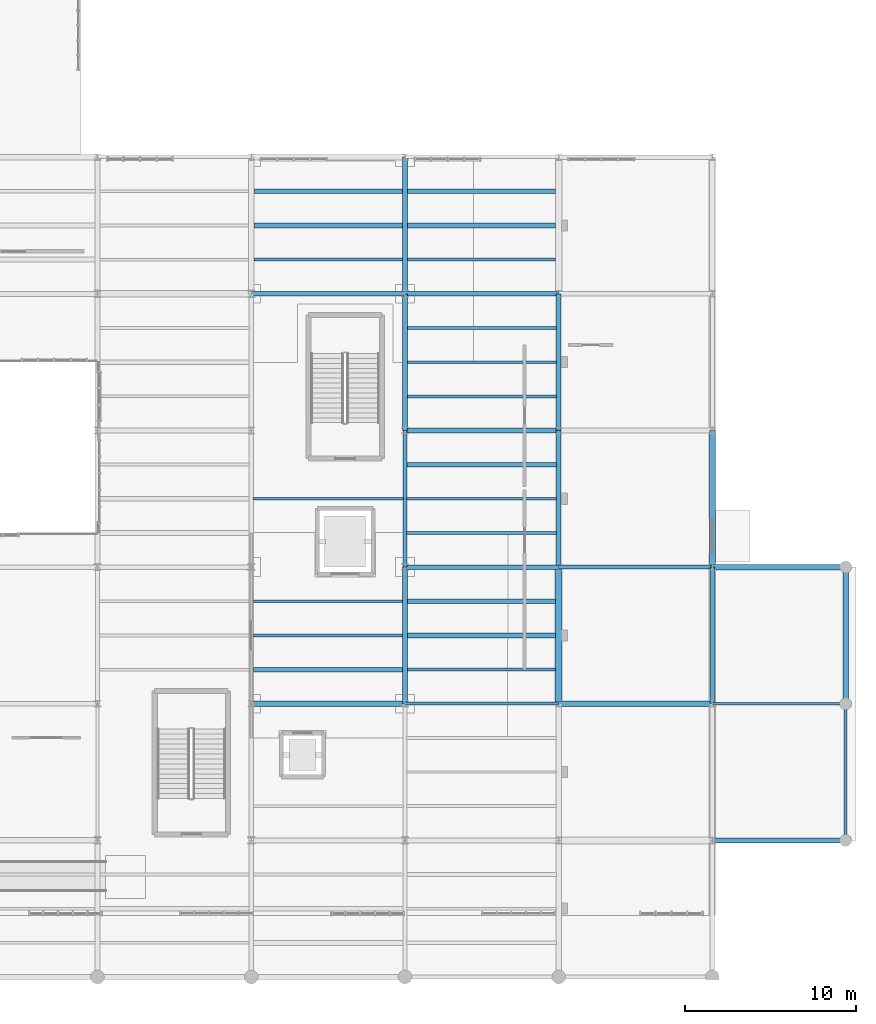
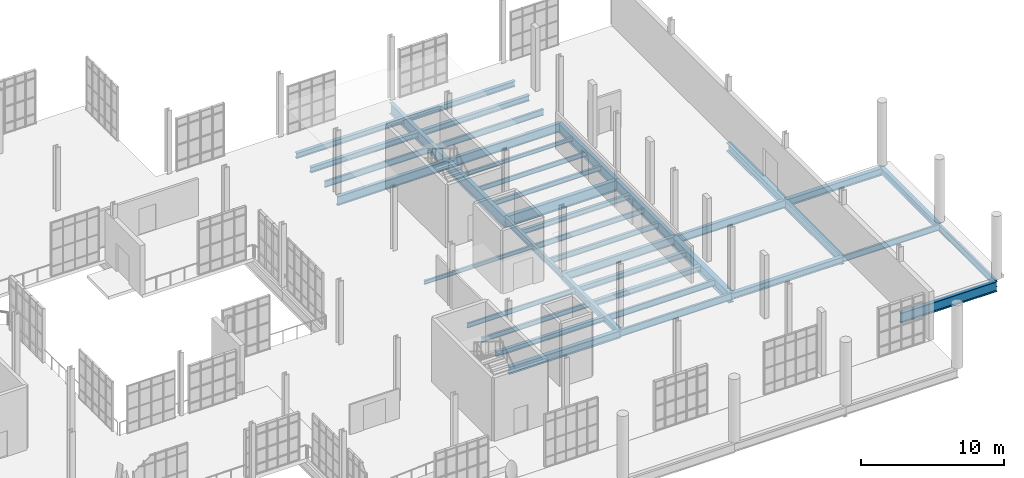
# One storey, part 107 of 189: 41 beams.
"""IFC4 building model written with IfcOpenShell, lengths in metres."""

from ifc_helpers import new_model, si_unit, direction, frame, origin, origin_2d, place, context, subcontext, project, spatial, i_section, extrude, material, material_profile, profile_set, type_object, element, save


model = new_model("IFC4")

# Units and contexts
model_context = context("Model", 3, precision=1e-05, world=origin(), true_north=direction((0.0, 1.0)))
body_context = subcontext(model_context, "Body", "Model", "MODEL_VIEW")
ifc_project = project(units=[si_unit("LENGTHUNIT", "METRE"), si_unit("AREAUNIT", "SQUARE_METRE"), si_unit("VOLUMEUNIT", "CUBIC_METRE"), si_unit("PLANEANGLEUNIT", "RADIAN"), si_unit("MASSUNIT", "GRAM", prefix="KILO"), si_unit("THERMODYNAMICTEMPERATUREUNIT", "KELVIN"), si_unit("POWERUNIT", "WATT")], contexts=[model_context])

# Site, building, storey
site_placement = place(None, origin())
site = spatial("IfcSite", under=ifc_project, at=site_placement, CompositionType="ELEMENT")
building_placement = place(site_placement, origin())
building = spatial("IfcBuilding", under=site, at=building_placement, Name="Zelmaris Science Centre", CompositionType="ELEMENT")
storey_placement = place(building_placement, origin())
storey = spatial("IfcBuildingStorey", under=building, at=storey_placement, Name="L00", CompositionType="ELEMENT", Elevation=0.0)

# Beams
ifc_material = material(Name="Steel ASTM A992 Grade 50", Category="steel")
ifc_material_profile_1 = material_profile(ifc_material, i_section(OverallWidth=0.257080078125, OverallDepth=0.693115234375, WebThickness=0.014404296875, FlangeThickness=0.023681640625, FilletRadius=0.01806640625, at=origin_2d()), Name="W27X114")
ifc_profile_set_1 = profile_set([ifc_material_profile_1], Name="Steel ASTM A992 Grade 50")
beam_type_1 = type_object("IfcBeamType", Name="Beam G-12 W27X114", PredefinedType="BEAM", material=ifc_profile_set_1)
beam_1_placement = place(storey_placement, frame((135.0, 32.0, -0.636474609375), z_axis=(1.0, 0.0, 0.0), x_axis=(0.0, 1.0, 0.0)))
element("IfcBeam", 1, at=beam_1_placement, inside=storey, type_object=beam_type_1, Name="L00 East-west girder 130", PredefinedType="BEAM", context=body_context, shape_type="SweptSolid", body=[
    extrude(i_section(OverallWidth=0.257080078125, OverallDepth=0.693115234375, WebThickness=0.014404296875, FlangeThickness=0.023681640625, FilletRadius=0.01806640625, at=origin_2d()), origin(), (0.0, 0.0, 1.0), 9.0),
])
ifc_material_profile_2 = material_profile(ifc_material, i_section(OverallWidth=0.25390625, OverallDepth=0.68310546875, WebThickness=0.012451171875, FlangeThickness=0.018798828125, FilletRadius=0.01806640625, at=origin_2d()), Name="W27X94")
ifc_profile_set_2 = profile_set([ifc_material_profile_2], Name="Steel ASTM A992 Grade 50")
beam_type_2 = type_object("IfcBeamType", Name="Beam G-13 W27X94", PredefinedType="BEAM", material=ifc_profile_set_2)
beam_2_placement = place(storey_placement, frame((144.0, 32.0, -0.631591796875), z_axis=(1.0, 0.0, 0.0), x_axis=(0.0, 1.0, 0.0)))
element("IfcBeam", 2, at=beam_2_placement, inside=storey, type_object=beam_type_2, Name="L00 East-west girder 131", PredefinedType="BEAM", context=body_context, shape_type="SweptSolid", body=[
    extrude(i_section(OverallWidth=0.25390625, OverallDepth=0.68310546875, WebThickness=0.012451171875, FlangeThickness=0.018798828125, FilletRadius=0.01806640625, at=origin_2d()), origin(), (0.0, 0.0, 1.0), 9.0),
])
ifc_material_profile_3 = material_profile(ifc_material, i_section(OverallWidth=0.324951171875, OverallDepth=0.612060546875, WebThickness=0.0126953125, FlangeThickness=0.01904296875, FilletRadius=0.014892578125, at=origin_2d()), Name="W24X104")
ifc_profile_set_3 = profile_set([ifc_material_profile_3], Name="Steel ASTM A992 Grade 50")
beam_type_3 = type_object("IfcBeamType", Name="Beam G-15 W24X104", PredefinedType="BEAM", material=ifc_profile_set_3)
beam_3_placement = place(storey_placement, frame((153.0, 32.0, -0.595947265625), z_axis=(1.0, 0.0, 0.0), x_axis=(0.0, 1.0, 0.0)))
element("IfcBeam", 3, at=beam_3_placement, inside=storey, type_object=beam_type_3, Name="L00 East-west girder 132", PredefinedType="BEAM", context=body_context, shape_type="SweptSolid", body=[
    extrude(i_section(OverallWidth=0.324951171875, OverallDepth=0.612060546875, WebThickness=0.0126953125, FlangeThickness=0.01904296875, FilletRadius=0.014892578125, at=origin_2d()), origin(), (0.0, 0.0, 1.0), 7.800048828125),
])
ifc_material_profile_4 = material_profile(ifc_material, i_section(OverallWidth=0.31201171875, OverallDepth=0.5439453125, WebThickness=0.0126953125, FlangeThickness=0.020263671875, FilletRadius=0.013916015625, at=origin_2d()), Name="W21X101")
ifc_profile_set_4 = profile_set([ifc_material_profile_4], Name="Steel ASTM A992 Grade 50")
beam_type_4 = type_object("IfcBeamType", Name="Beam G-18 W21X101", PredefinedType="BEAM", material=ifc_profile_set_4)
beam_4_placement = place(storey_placement, frame((135.0, 24.0, -0.56201171875), z_axis=(0.0, 1.0, 0.0), x_axis=(-1.0, 0.0, 0.0)))
element("IfcBeam", 4, at=beam_4_placement, inside=storey, type_object=beam_type_4, Name="L00 North-south girder 73", PredefinedType="BEAM", context=body_context, shape_type="SweptSolid", body=[
    extrude(i_section(OverallWidth=0.31201171875, OverallDepth=0.5439453125, WebThickness=0.0126953125, FlangeThickness=0.020263671875, FilletRadius=0.013916015625, at=origin_2d()), origin(), (0.0, 0.0, 1.0), 8.0),
])
ifc_material_profile_5 = material_profile(ifc_material, i_section(OverallWidth=0.2109375, OverallDepth=0.5380859375, WebThickness=0.01171875, FlangeThickness=0.018798828125, FilletRadius=0.013916015625, at=origin_2d()), Name="W21X73")
ifc_profile_set_5 = profile_set([ifc_material_profile_5], Name="Steel ASTM A992 Grade 50")
beam_type_5 = type_object("IfcBeamType", Name="Beam G-19 W21X73", PredefinedType="BEAM", material=ifc_profile_set_5)
beam_5_placement = place(storey_placement, frame((135.0, 32.0, -0.55908203125), z_axis=(0.0, 1.0, 0.0), x_axis=(-1.0, 0.0, 0.0)))
element("IfcBeam", 5, at=beam_5_placement, inside=storey, type_object=beam_type_5, Name="L00 North-south girder 74", PredefinedType="BEAM", context=body_context, shape_type="SweptSolid", body=[
    extrude(i_section(OverallWidth=0.2109375, OverallDepth=0.5380859375, WebThickness=0.01171875, FlangeThickness=0.018798828125, FilletRadius=0.013916015625, at=origin_2d()), origin(), (0.0, 0.0, 1.0), 8.0),
])
ifc_material_profile_6 = material_profile(ifc_material, i_section(OverallWidth=0.300048828125, OverallDepth=0.990966796875, WebThickness=0.0166015625, FlangeThickness=0.030517578125, FilletRadius=0.02490234375, at=origin_2d()), Name="W40X183")
ifc_profile_set_6 = profile_set([ifc_material_profile_6], Name="Steel ASTM A992 Grade 50")
beam_type_6 = type_object("IfcBeamType", Name="Beam G-24 W40X183", PredefinedType="BEAM", material=ifc_profile_set_6)
beam_6_placement = place(storey_placement, frame((135.0, 40.0, -0.785400390625), z_axis=(0.0, 1.0, 0.0), x_axis=(-1.0, 0.0, 0.0)))
element("IfcBeam", 6, at=beam_6_placement, inside=storey, type_object=beam_type_6, Name="L00 North-south girder 75", PredefinedType="BEAM", context=body_context, shape_type="SweptSolid", body=[
    extrude(i_section(OverallWidth=0.300048828125, OverallDepth=0.990966796875, WebThickness=0.0166015625, FlangeThickness=0.030517578125, FilletRadius=0.02490234375, at=origin_2d()), origin(), (0.0, 0.0, 1.0), 8.0),
])
ifc_material_profile_7 = material_profile(ifc_material, i_section(OverallWidth=0.31005859375, OverallDepth=0.931884765625, WebThickness=0.02099609375, FlangeThickness=0.034423828125, FilletRadius=0.02392578125, at=origin_2d()), Name="W36X210")
ifc_profile_set_7 = profile_set([ifc_material_profile_7], Name="Steel ASTM A992 Grade 50")
beam_type_7 = type_object("IfcBeamType", Name="Beam G-25 W36X210", PredefinedType="BEAM", material=ifc_profile_set_7)
beam_7_placement = place(storey_placement, frame((135.0, 48.0, -0.756103515625), z_axis=(0.0, 1.0, 0.0), x_axis=(-1.0, 0.0, 0.0)))
element("IfcBeam", 7, at=beam_7_placement, inside=storey, type_object=beam_type_7, Name="L00 North-south girder 76", PredefinedType="BEAM", context=body_context, shape_type="SweptSolid", body=[
    extrude(i_section(OverallWidth=0.31005859375, OverallDepth=0.931884765625, WebThickness=0.02099609375, FlangeThickness=0.034423828125, FilletRadius=0.02392578125, at=origin_2d()), origin(), (0.0, 0.0, 1.0), 8.0),
])
ifc_material_profile_8 = material_profile(ifc_material, i_section(OverallWidth=0.304931640625, OverallDepth=0.9189453125, WebThickness=0.017333984375, FlangeThickness=0.02783203125, FilletRadius=0.02392578125, at=origin_2d()), Name="W36X170")
ifc_profile_set_8 = profile_set([ifc_material_profile_8], Name="Steel ASTM A992 Grade 50")
beam_type_8 = type_object("IfcBeamType", Name="Beam G-26 W36X170", PredefinedType="BEAM", material=ifc_profile_set_8)
beam_8_placement = place(storey_placement, frame((135.0, 40.0, -0.74951171875), z_axis=(1.0, 0.0, 0.0), x_axis=(0.0, 1.0, 0.0)))
element("IfcBeam", 8, at=beam_8_placement, inside=storey, type_object=beam_type_8, Name="L00 East-west girder 139", PredefinedType="BEAM", context=body_context, shape_type="SweptSolid", body=[
    extrude(i_section(OverallWidth=0.304931640625, OverallDepth=0.9189453125, WebThickness=0.017333984375, FlangeThickness=0.02783203125, FilletRadius=0.02392578125, at=origin_2d()), origin(), (0.0, 0.0, 1.0), 9.0),
])
ifc_material_profile_9 = material_profile(ifc_material, i_section(OverallWidth=0.404052734375, OverallDepth=0.861083984375, WebThickness=0.019775390625, FlangeThickness=0.032470703125, FilletRadius=0.02001953125, at=origin_2d()), Name="W33X221")
ifc_profile_set_9 = profile_set([ifc_material_profile_9], Name="Steel ASTM A992 Grade 50")
beam_type_9 = type_object("IfcBeamType", Name="Beam G-28 W33X221", PredefinedType="BEAM", material=ifc_profile_set_9)
beam_9_placement = place(storey_placement, frame((144.0, 24.0, -0.720458984375), z_axis=(0.0, 1.0, 0.0), x_axis=(-1.0, 0.0, 0.0)))
element("IfcBeam", 9, at=beam_9_placement, inside=storey, type_object=beam_type_9, Name="L00 North-south girder 79", PredefinedType="BEAM", context=body_context, shape_type="SweptSolid", body=[
    extrude(i_section(OverallWidth=0.404052734375, OverallDepth=0.861083984375, WebThickness=0.019775390625, FlangeThickness=0.032470703125, FilletRadius=0.02001953125, at=origin_2d()), origin(), (0.0, 0.0, 1.0), 8.0),
])
ifc_material_profile_10 = material_profile(ifc_material, i_section(OverallWidth=0.2919921875, OverallDepth=0.85888671875, WebThickness=0.01708984375, FlangeThickness=0.031005859375, FilletRadius=0.02001953125, at=origin_2d()), Name="W33X169")
ifc_profile_set_10 = profile_set([ifc_material_profile_10], Name="Steel ASTM A992 Grade 50")
beam_type_10 = type_object("IfcBeamType", Name="Beam G-29 W33X169", PredefinedType="BEAM", material=ifc_profile_set_10)
beam_10_placement = place(storey_placement, frame((144.0, 32.0, -0.719482421875), z_axis=(0.0, 1.0, 0.0), x_axis=(-1.0, 0.0, 0.0)))
element("IfcBeam", 10, at=beam_10_placement, inside=storey, type_object=beam_type_10, Name="L00 North-south girder 80", PredefinedType="BEAM", context=body_context, shape_type="SweptSolid", body=[
    extrude(i_section(OverallWidth=0.2919921875, OverallDepth=0.85888671875, WebThickness=0.01708984375, FlangeThickness=0.031005859375, FilletRadius=0.02001953125, at=origin_2d()), origin(), (0.0, 0.0, 1.0), 8.0),
])
beam_11_placement = place(storey_placement, frame((153.0, 16.0, -0.719482421875), z_axis=(1.0, 0.0, 0.0), x_axis=(0.0, 1.0, 0.0)))
element("IfcBeam", 11, at=beam_11_placement, inside=storey, type_object=beam_type_10, Name="L00 East-west girder 111", PredefinedType="BEAM", context=body_context, shape_type="SweptSolid", body=[
    extrude(i_section(OverallWidth=0.2919921875, OverallDepth=0.85888671875, WebThickness=0.01708984375, FlangeThickness=0.031005859375, FilletRadius=0.02001953125, at=origin_2d()), origin(), (0.0, 0.0, 1.0), 7.800048828125),
])
ifc_material_profile_11 = material_profile(ifc_material, i_section(OverallWidth=0.2919921875, OverallDepth=0.8359375, WebThickness=0.013916015625, FlangeThickness=0.018798828125, FilletRadius=0.02001953125, at=origin_2d()), Name="W33X118")
ifc_profile_set_11 = profile_set([ifc_material_profile_11], Name="Steel ASTM A992 Grade 50")
beam_type_11 = type_object("IfcBeamType", Name="Beam G-30 W33X118", PredefinedType="BEAM", material=ifc_profile_set_11)
beam_12_placement = place(storey_placement, frame((144.0, 40.0, -0.7080078125), z_axis=(0.0, 1.0, 0.0), x_axis=(-1.0, 0.0, 0.0)))
element("IfcBeam", 12, at=beam_12_placement, inside=storey, type_object=beam_type_11, Name="L00 North-south girder 81", PredefinedType="BEAM", context=body_context, shape_type="SweptSolid", body=[
    extrude(i_section(OverallWidth=0.2919921875, OverallDepth=0.8359375, WebThickness=0.013916015625, FlangeThickness=0.018798828125, FilletRadius=0.02001953125, at=origin_2d()), origin(), (0.0, 0.0, 1.0), 8.0),
])
ifc_material_profile_12 = material_profile(ifc_material, i_section(OverallWidth=0.26708984375, OverallDepth=0.780029296875, WebThickness=0.0166015625, FlangeThickness=0.030029296875, FilletRadius=0.01904296875, at=origin_2d()), Name="W30X148")
ifc_profile_set_12 = profile_set([ifc_material_profile_12], Name="Steel ASTM A992 Grade 50")
beam_type_12 = type_object("IfcBeamType", Name="Beam G-32 W30X148", PredefinedType="BEAM", material=ifc_profile_set_12)
beam_13_placement = place(storey_placement, frame((126.0, 48.0, -0.679931640625), z_axis=(1.0, 0.0, 0.0), x_axis=(0.0, 1.0, 0.0)))
element("IfcBeam", 13, at=beam_13_placement, inside=storey, type_object=beam_type_12, Name="L00 East-west girder 145", PredefinedType="BEAM", context=body_context, shape_type="SweptSolid", body=[
    extrude(i_section(OverallWidth=0.26708984375, OverallDepth=0.780029296875, WebThickness=0.0166015625, FlangeThickness=0.030029296875, FilletRadius=0.01904296875, at=origin_2d()), origin(), (0.0, 0.0, 1.0), 9.0),
])
ifc_material_profile_13 = material_profile(ifc_material, i_section(OverallWidth=0.26708984375, OverallDepth=0.761962890625, WebThickness=0.014404296875, FlangeThickness=0.021484375, FilletRadius=0.01904296875, at=origin_2d()), Name="W30X116")
ifc_profile_set_13 = profile_set([ifc_material_profile_13], Name="Steel ASTM A992 Grade 50")
beam_type_13 = type_object("IfcBeamType", Name="Beam G-33 W30X116", PredefinedType="BEAM", material=ifc_profile_set_13)
beam_14_placement = place(storey_placement, frame((135.0, 48.0, -0.6708984375), z_axis=(1.0, 0.0, 0.0), x_axis=(0.0, 1.0, 0.0)))
element("IfcBeam", 14, at=beam_14_placement, inside=storey, type_object=beam_type_13, Name="L00 East-west girder 146", PredefinedType="BEAM", context=body_context, shape_type="SweptSolid", body=[
    extrude(i_section(OverallWidth=0.26708984375, OverallDepth=0.761962890625, WebThickness=0.014404296875, FlangeThickness=0.021484375, FilletRadius=0.01904296875, at=origin_2d()), origin(), (0.0, 0.0, 1.0), 9.0),
])
ifc_material_profile_14 = material_profile(ifc_material, i_section(OverallWidth=0.26708984375, OverallDepth=0.75390625, WebThickness=0.01318359375, FlangeThickness=0.01708984375, FilletRadius=0.01904296875, at=origin_2d()), Name="W30X99")
ifc_profile_set_14 = profile_set([ifc_material_profile_14], Name="Steel ASTM A992 Grade 50")
beam_type_14 = type_object("IfcBeamType", Name="Beam G-34 W30X99", PredefinedType="BEAM", material=ifc_profile_set_14)
beam_15_placement = place(storey_placement, frame((153.0, 24.0, -0.6669921875), z_axis=(0.0, 1.0, 0.0), x_axis=(-1.0, 0.0, 0.0)))
element("IfcBeam", 15, at=beam_15_placement, inside=storey, type_object=beam_type_14, Name="L00 North-south girder 85", PredefinedType="BEAM", context=body_context, shape_type="SweptSolid", body=[
    extrude(i_section(OverallWidth=0.26708984375, OverallDepth=0.75390625, WebThickness=0.01318359375, FlangeThickness=0.01708984375, FilletRadius=0.01904296875, at=origin_2d()), origin(), (0.0, 0.0, 1.0), 8.0),
])
ifc_material_profile_15 = material_profile(ifc_material, i_section(OverallWidth=0.35595703125, OverallDepth=0.700927734375, WebThickness=0.016845703125, FlangeThickness=0.02734375, FilletRadius=0.01806640625, at=origin_2d()), Name="W27X161")
ifc_profile_set_15 = profile_set([ifc_material_profile_15], Name="Steel ASTM A992 Grade 50")
beam_type_15 = type_object("IfcBeamType", Name="Beam G-35 W27X161", PredefinedType="BEAM", material=ifc_profile_set_15)
beam_16_placement = place(storey_placement, frame((153.0, 32.0, -0.640380859375), z_axis=(0.0, 1.0, 0.0), x_axis=(-1.0, 0.0, 0.0)))
element("IfcBeam", 16, at=beam_16_placement, inside=storey, type_object=beam_type_15, Name="L00 North-south girder 86", PredefinedType="BEAM", context=body_context, shape_type="SweptSolid", body=[
    extrude(i_section(OverallWidth=0.35595703125, OverallDepth=0.700927734375, WebThickness=0.016845703125, FlangeThickness=0.02734375, FilletRadius=0.01806640625, at=origin_2d()), origin(), (0.0, 0.0, 1.0), 8.0),
])
ifc_material_profile_16 = material_profile(ifc_material, i_section(OverallWidth=0.327880859375, OverallDepth=0.626953125, WebThickness=0.0166015625, FlangeThickness=0.027587890625, FilletRadius=0.014892578125, at=origin_2d()), Name="W24X146")
ifc_profile_set_16 = profile_set([ifc_material_profile_16], Name="Steel ASTM A992 Grade 50")
beam_type_16 = type_object("IfcBeamType", Name="Beam G-37 W24X146", PredefinedType="BEAM", material=ifc_profile_set_16)
beam_17_placement = place(storey_placement, frame((126.0, 24.0, -0.603515625), z_axis=(1.0, 0.0, 0.0), x_axis=(0.0, 1.0, 0.0)))
element("IfcBeam", 17, at=beam_17_placement, inside=storey, type_object=beam_type_16, Name="L00 East-west girder 119", PredefinedType="BEAM", context=body_context, shape_type="SweptSolid", body=[
    extrude(i_section(OverallWidth=0.327880859375, OverallDepth=0.626953125, WebThickness=0.0166015625, FlangeThickness=0.027587890625, FilletRadius=0.014892578125, at=origin_2d()), origin(), (0.0, 0.0, 1.0), 9.0),
])
ifc_material_profile_17 = material_profile(ifc_material, i_section(OverallWidth=0.177978515625, OverallDepth=0.59912109375, WebThickness=0.010009765625, FlangeThickness=0.0126953125, FilletRadius=0.014892578125, at=origin_2d()), Name="W24X55")
ifc_profile_set_17 = profile_set([ifc_material_profile_17], Name="Steel ASTM A992 Grade 50")
beam_type_17 = type_object("IfcBeamType", Name="Beam G-38 W24X55", PredefinedType="BEAM", material=ifc_profile_set_17)
beam_18_placement = place(storey_placement, frame((160.800048828125, 16.0, -0.57958984375), z_axis=(0.0, 1.0, 0.0), x_axis=(-1.0, 0.0, 0.0)))
element("IfcBeam", 18, at=beam_18_placement, inside=storey, type_object=beam_type_17, Name="L00 North-south girder 89", PredefinedType="BEAM", context=body_context, shape_type="SweptSolid", body=[
    extrude(i_section(OverallWidth=0.177978515625, OverallDepth=0.59912109375, WebThickness=0.010009765625, FlangeThickness=0.0126953125, FilletRadius=0.014892578125, at=origin_2d()), origin(), (0.0, 0.0, 1.0), 8.0),
])
beam_19_placement = place(storey_placement, frame((135.0, 24.0, -0.589599609375), z_axis=(1.0, 0.0, 0.0), x_axis=(0.0, 1.0, 0.0)))
element("IfcBeam", 19, at=beam_19_placement, inside=storey, type_object=beam_type_17, Name="L00 East-west girder 120", PredefinedType="BEAM", context=body_context, shape_type="SweptSolid", body=[
    extrude(i_section(OverallWidth=0.177978515625, OverallDepth=0.59912109375, WebThickness=0.010009765625, FlangeThickness=0.0126953125, FilletRadius=0.014892578125, at=origin_2d()), origin(), (0.0, 0.0, 1.0), 9.0),
])
ifc_material_profile_18 = material_profile(ifc_material, i_section(OverallWidth=0.31201171875, OverallDepth=0.5458984375, WebThickness=0.013916015625, FlangeThickness=0.022216796875, FilletRadius=0.013916015625, at=origin_2d()), Name="W21X111")
ifc_profile_set_18 = profile_set([ifc_material_profile_18], Name="Steel ASTM A992 Grade 50")
beam_type_18 = type_object("IfcBeamType", Name="Beam G-39 W21X111", PredefinedType="BEAM", material=ifc_profile_set_18)
beam_20_placement = place(storey_placement, frame((160.800048828125, 24.0, -0.552978515625), z_axis=(0.0, 1.0, 0.0), x_axis=(-1.0, 0.0, 0.0)))
element("IfcBeam", 20, at=beam_20_placement, inside=storey, type_object=beam_type_18, Name="L00 North-south girder 90", PredefinedType="BEAM", context=body_context, shape_type="SweptSolid", body=[
    extrude(i_section(OverallWidth=0.31201171875, OverallDepth=0.5458984375, WebThickness=0.013916015625, FlangeThickness=0.022216796875, FilletRadius=0.013916015625, at=origin_2d()), origin(), (0.0, 0.0, 1.0), 8.0),
])
beam_21_placement = place(storey_placement, frame((144.0, 24.0, -0.56298828125), z_axis=(1.0, 0.0, 0.0), x_axis=(0.0, 1.0, 0.0)))
element("IfcBeam", 21, at=beam_21_placement, inside=storey, type_object=beam_type_18, Name="L00 East-west girder 121", PredefinedType="BEAM", context=body_context, shape_type="SweptSolid", body=[
    extrude(i_section(OverallWidth=0.31201171875, OverallDepth=0.5458984375, WebThickness=0.013916015625, FlangeThickness=0.022216796875, FilletRadius=0.013916015625, at=origin_2d()), origin(), (0.0, 0.0, 1.0), 9.0),
])
ifc_material_profile_19 = material_profile(ifc_material, i_section(OverallWidth=0.1650390625, OverallDepth=0.52587890625, WebThickness=0.0087890625, FlangeThickness=0.011474609375, FilletRadius=0.013916015625, at=origin_2d()), Name="W21X44")
ifc_profile_set_19 = profile_set([ifc_material_profile_19], Name="Steel ASTM A992 Grade 50")
beam_type_19 = type_object("IfcBeamType", Name="Beam G-40 W21X44", PredefinedType="BEAM", material=ifc_profile_set_19)
beam_22_placement = place(storey_placement, frame((153.0, 24.0, -0.552978515625), z_axis=(1.0, 0.0, 0.0), x_axis=(0.0, 1.0, 0.0)))
element("IfcBeam", 22, at=beam_22_placement, inside=storey, type_object=beam_type_19, Name="L00 East-west girder 122", PredefinedType="BEAM", context=body_context, shape_type="SweptSolid", body=[
    extrude(i_section(OverallWidth=0.1650390625, OverallDepth=0.52587890625, WebThickness=0.0087890625, FlangeThickness=0.011474609375, FilletRadius=0.013916015625, at=origin_2d()), origin(), (0.0, 0.0, 1.0), 7.800048828125),
])
ifc_material_profile_20 = material_profile(ifc_material, i_section(OverallWidth=0.16796875, OverallDepth=0.532958984375, WebThickness=0.01025390625, FlangeThickness=0.0166015625, FilletRadius=0.013916015625, at=origin_2d()), Name="W21X57")
ifc_profile_set_20 = profile_set([ifc_material_profile_20], Name="Steel ASTM A992 Grade 50")
beam_type_20 = type_object("IfcBeamType", Name="Beam J-01 W21X57", PredefinedType="JOIST", material=ifc_profile_set_20)
beam_23_placement = place(storey_placement, frame((126.1474609375, 50.0, -0.556396484375), z_axis=(1.0, 0.0, 0.0), x_axis=(0.0, 1.0, 0.0)))
element("IfcBeam", 23, at=beam_23_placement, inside=storey, type_object=beam_type_20, Name="L00 Composite floor joist 99", PredefinedType="JOIST", context=body_context, shape_type="SweptSolid", body=[
    extrude(i_section(OverallWidth=0.16796875, OverallDepth=0.532958984375, WebThickness=0.01025390625, FlangeThickness=0.0166015625, FilletRadius=0.013916015625, at=origin_2d()), origin(), (0.0, 0.0, 1.0), 8.712646484375),
])
beam_24_placement = place(storey_placement, frame((135.14111328125, 26.0, -0.556396484375), z_axis=(1.0, 0.0, 0.0), x_axis=(0.0, 1.0, 0.0)))
element("IfcBeam", 24, at=beam_24_placement, inside=storey, type_object=beam_type_20, Name="L00 Composite floor joist 108", PredefinedType="JOIST", context=body_context, shape_type="SweptSolid", body=[
    extrude(i_section(OverallWidth=0.16796875, OverallDepth=0.532958984375, WebThickness=0.01025390625, FlangeThickness=0.0166015625, FilletRadius=0.013916015625, at=origin_2d()), origin(), (0.0, 0.0, 1.0), 8.671875),
])
beam_25_placement = place(storey_placement, frame((135.139892578125, 50.0, -0.556396484375), z_axis=(1.0, 0.0, 0.0), x_axis=(0.0, 1.0, 0.0)))
element("IfcBeam", 25, at=beam_25_placement, inside=storey, type_object=beam_type_20, Name="L00 Composite floor joist 117", PredefinedType="JOIST", context=body_context, shape_type="SweptSolid", body=[
    extrude(i_section(OverallWidth=0.16796875, OverallDepth=0.532958984375, WebThickness=0.01025390625, FlangeThickness=0.0166015625, FilletRadius=0.013916015625, at=origin_2d()), origin(), (0.0, 0.0, 1.0), 8.6845703125),
])
ifc_material_profile_21 = material_profile(ifc_material, i_section(OverallWidth=0.281982421875, OverallDepth=0.471923828125, WebThickness=0.013671875, FlangeThickness=0.022216796875, FilletRadius=0.012939453125, at=origin_2d()), Name="W18X97")
ifc_profile_set_21 = profile_set([ifc_material_profile_21], Name="Steel ASTM A992 Grade 50")
beam_type_21 = type_object("IfcBeamType", Name="Beam J-02 W18X97", PredefinedType="JOIST", material=ifc_profile_set_21)
beam_26_placement = place(storey_placement, frame((126.1474609375, 52.0, -0.52587890625), z_axis=(1.0, 0.0, 0.0), x_axis=(0.0, 1.0, 0.0)))
element("IfcBeam", 26, at=beam_26_placement, inside=storey, type_object=beam_type_21, Name="L00 Composite floor joist 100", PredefinedType="JOIST", context=body_context, shape_type="SweptSolid", body=[
    extrude(i_section(OverallWidth=0.281982421875, OverallDepth=0.471923828125, WebThickness=0.013671875, FlangeThickness=0.022216796875, FilletRadius=0.012939453125, at=origin_2d()), origin(), (0.0, 0.0, 1.0), 8.712646484375),
])
beam_27_placement = place(storey_placement, frame((135.14111328125, 28.0, -0.52587890625), z_axis=(1.0, 0.0, 0.0), x_axis=(0.0, 1.0, 0.0)))
element("IfcBeam", 27, at=beam_27_placement, inside=storey, type_object=beam_type_21, Name="L00 Composite floor joist 109", PredefinedType="JOIST", context=body_context, shape_type="SweptSolid", body=[
    extrude(i_section(OverallWidth=0.281982421875, OverallDepth=0.471923828125, WebThickness=0.013671875, FlangeThickness=0.022216796875, FilletRadius=0.012939453125, at=origin_2d()), origin(), (0.0, 0.0, 1.0), 8.671875),
])
beam_28_placement = place(storey_placement, frame((135.139892578125, 52.0, -0.52587890625), z_axis=(1.0, 0.0, 0.0), x_axis=(0.0, 1.0, 0.0)))
element("IfcBeam", 28, at=beam_28_placement, inside=storey, type_object=beam_type_21, Name="L00 Composite floor joist 118", PredefinedType="JOIST", context=body_context, shape_type="SweptSolid", body=[
    extrude(i_section(OverallWidth=0.281982421875, OverallDepth=0.471923828125, WebThickness=0.013671875, FlangeThickness=0.022216796875, FilletRadius=0.012939453125, at=origin_2d()), origin(), (0.0, 0.0, 1.0), 8.6845703125),
])
ifc_material_profile_22 = material_profile(ifc_material, i_section(OverallWidth=0.279052734375, OverallDepth=0.4619140625, WebThickness=0.0107421875, FlangeThickness=0.017333984375, FilletRadius=0.012939453125, at=origin_2d()), Name="W18X76")
ifc_profile_set_22 = profile_set([ifc_material_profile_22], Name="Steel ASTM A992 Grade 50")
beam_type_22 = type_object("IfcBeamType", Name="Beam J-03 W18X76", PredefinedType="JOIST", material=ifc_profile_set_22)
beam_29_placement = place(storey_placement, frame((126.1474609375, 54.0, -0.52099609375), z_axis=(1.0, 0.0, 0.0), x_axis=(0.0, 1.0, 0.0)))
element("IfcBeam", 29, at=beam_29_placement, inside=storey, type_object=beam_type_22, Name="L00 Composite floor joist 101", PredefinedType="JOIST", context=body_context, shape_type="SweptSolid", body=[
    extrude(i_section(OverallWidth=0.279052734375, OverallDepth=0.4619140625, WebThickness=0.0107421875, FlangeThickness=0.017333984375, FilletRadius=0.012939453125, at=origin_2d()), origin(), (0.0, 0.0, 1.0), 8.712646484375),
])
beam_30_placement = place(storey_placement, frame((135.14111328125, 30.0, -0.52099609375), z_axis=(1.0, 0.0, 0.0), x_axis=(0.0, 1.0, 0.0)))
element("IfcBeam", 30, at=beam_30_placement, inside=storey, type_object=beam_type_22, Name="L00 Composite floor joist 110", PredefinedType="JOIST", context=body_context, shape_type="SweptSolid", body=[
    extrude(i_section(OverallWidth=0.279052734375, OverallDepth=0.4619140625, WebThickness=0.0107421875, FlangeThickness=0.017333984375, FilletRadius=0.012939453125, at=origin_2d()), origin(), (0.0, 0.0, 1.0), 8.671875),
])
beam_31_placement = place(storey_placement, frame((135.139892578125, 54.0, -0.52099609375), z_axis=(1.0, 0.0, 0.0), x_axis=(0.0, 1.0, 0.0)))
element("IfcBeam", 31, at=beam_31_placement, inside=storey, type_object=beam_type_22, Name="L00 Composite floor joist 119", PredefinedType="JOIST", context=body_context, shape_type="SweptSolid", body=[
    extrude(i_section(OverallWidth=0.279052734375, OverallDepth=0.4619140625, WebThickness=0.0107421875, FlangeThickness=0.017333984375, FilletRadius=0.012939453125, at=origin_2d()), origin(), (0.0, 0.0, 1.0), 8.6845703125),
])
ifc_material_profile_23 = material_profile(ifc_material, i_section(OverallWidth=0.19091796875, OverallDepth=0.4599609375, WebThickness=0.010009765625, FlangeThickness=0.01611328125, FilletRadius=0.012939453125, at=origin_2d()), Name="W18X55")
ifc_profile_set_23 = profile_set([ifc_material_profile_23], Name="Steel ASTM A992 Grade 50")
beam_type_23 = type_object("IfcBeamType", Name="Beam J-04 W18X55", PredefinedType="JOIST", material=ifc_profile_set_23)
beam_32_placement = place(storey_placement, frame((135.090576171875, 34.0, -0.52001953125), z_axis=(1.0, 0.0, 0.0), x_axis=(0.0, 1.0, 0.0)))
element("IfcBeam", 32, at=beam_32_placement, inside=storey, type_object=beam_type_23, Name="L00 Composite floor joist 111", PredefinedType="JOIST", context=body_context, shape_type="SweptSolid", body=[
    extrude(i_section(OverallWidth=0.19091796875, OverallDepth=0.4599609375, WebThickness=0.010009765625, FlangeThickness=0.01611328125, FilletRadius=0.012939453125, at=origin_2d()), origin(), (0.0, 0.0, 1.0), 8.7783203125),
])
ifc_material_profile_24 = material_profile(ifc_material, i_section(OverallWidth=0.152099609375, OverallDepth=0.455078125, WebThickness=0.008056640625, FlangeThickness=0.01318359375, FilletRadius=0.012939453125, at=origin_2d()), Name="W18X40")
ifc_profile_set_24 = profile_set([ifc_material_profile_24], Name="Steel ASTM A992 Grade 50")
beam_type_24 = type_object("IfcBeamType", Name="Beam J-05 W18X40", PredefinedType="JOIST", material=ifc_profile_set_24)
beam_33_placement = place(storey_placement, frame((135.090576171875, 36.0, -0.517578125), z_axis=(1.0, 0.0, 0.0), x_axis=(0.0, 1.0, 0.0)))
element("IfcBeam", 33, at=beam_33_placement, inside=storey, type_object=beam_type_24, Name="L00 Composite floor joist 112", PredefinedType="JOIST", context=body_context, shape_type="SweptSolid", body=[
    extrude(i_section(OverallWidth=0.152099609375, OverallDepth=0.455078125, WebThickness=0.008056640625, FlangeThickness=0.01318359375, FilletRadius=0.012939453125, at=origin_2d()), origin(), (0.0, 0.0, 1.0), 8.7783203125),
])
ifc_material_profile_25 = material_profile(ifc_material, i_section(OverallWidth=0.260009765625, OverallDepth=0.4140625, WebThickness=0.010009765625, FlangeThickness=0.016845703125, FilletRadius=0.011962890625, at=origin_2d()), Name="W16X67")
ifc_profile_set_25 = profile_set([ifc_material_profile_25], Name="Steel ASTM A992 Grade 50")
beam_type_25 = type_object("IfcBeamType", Name="Beam J-06 W16X67", PredefinedType="JOIST", material=ifc_profile_set_25)
beam_34_placement = place(storey_placement, frame((126.118408203125, 26.0, -0.4970703125), z_axis=(1.0, 0.0, 0.0), x_axis=(0.0, 1.0, 0.0)))
element("IfcBeam", 34, at=beam_34_placement, inside=storey, type_object=beam_type_25, Name="L00 Composite floor joist 95", PredefinedType="JOIST", context=body_context, shape_type="SweptSolid", body=[
    extrude(i_section(OverallWidth=0.260009765625, OverallDepth=0.4140625, WebThickness=0.010009765625, FlangeThickness=0.016845703125, FilletRadius=0.011962890625, at=origin_2d()), origin(), (0.0, 0.0, 1.0), 8.740478515625),
])
beam_35_placement = place(storey_placement, frame((135.090576171875, 38.0, -0.4970703125), z_axis=(1.0, 0.0, 0.0), x_axis=(0.0, 1.0, 0.0)))
element("IfcBeam", 35, at=beam_35_placement, inside=storey, type_object=beam_type_25, Name="L00 Composite floor joist 113", PredefinedType="JOIST", context=body_context, shape_type="SweptSolid", body=[
    extrude(i_section(OverallWidth=0.260009765625, OverallDepth=0.4140625, WebThickness=0.010009765625, FlangeThickness=0.016845703125, FilletRadius=0.011962890625, at=origin_2d()), origin(), (0.0, 0.0, 1.0), 8.7783203125),
])
ifc_material_profile_26 = material_profile(ifc_material, i_section(OverallWidth=0.177978515625, OverallDepth=0.408935546875, WebThickness=0.0087890625, FlangeThickness=0.014404296875, FilletRadius=0.011962890625, at=origin_2d()), Name="W16X45")
ifc_profile_set_26 = profile_set([ifc_material_profile_26], Name="Steel ASTM A992 Grade 50")
beam_type_26 = type_object("IfcBeamType", Name="Beam J-07 W16X45", PredefinedType="JOIST", material=ifc_profile_set_26)
beam_36_placement = place(storey_placement, frame((126.118408203125, 28.0, -0.494384765625), z_axis=(1.0, 0.0, 0.0), x_axis=(0.0, 1.0, 0.0)))
element("IfcBeam", 36, at=beam_36_placement, inside=storey, type_object=beam_type_26, Name="L00 Composite floor joist 96", PredefinedType="JOIST", context=body_context, shape_type="SweptSolid", body=[
    extrude(i_section(OverallWidth=0.177978515625, OverallDepth=0.408935546875, WebThickness=0.0087890625, FlangeThickness=0.014404296875, FilletRadius=0.011962890625, at=origin_2d()), origin(), (0.0, 0.0, 1.0), 8.740478515625),
])
beam_37_placement = place(storey_placement, frame((135.135009765625, 42.0, -0.494384765625), z_axis=(1.0, 0.0, 0.0), x_axis=(0.0, 1.0, 0.0)))
element("IfcBeam", 37, at=beam_37_placement, inside=storey, type_object=beam_type_26, Name="L00 Composite floor joist 114", PredefinedType="JOIST", context=body_context, shape_type="SweptSolid", body=[
    extrude(i_section(OverallWidth=0.177978515625, OverallDepth=0.408935546875, WebThickness=0.0087890625, FlangeThickness=0.014404296875, FilletRadius=0.011962890625, at=origin_2d()), origin(), (0.0, 0.0, 1.0), 8.73388671875),
])
ifc_material_profile_27 = material_profile(ifc_material, i_section(OverallWidth=0.139892578125, OverallDepth=0.404052734375, WebThickness=0.007080078125, FlangeThickness=0.01123046875, FilletRadius=0.011962890625, at=origin_2d()), Name="W16X31")
ifc_profile_set_27 = profile_set([ifc_material_profile_27], Name="Steel ASTM A992 Grade 50")
beam_type_27 = type_object("IfcBeamType", Name="Beam J-08 W16X31", PredefinedType="JOIST", material=ifc_profile_set_27)
beam_38_placement = place(storey_placement, frame((126.118408203125, 30.0, -0.491943359375), z_axis=(1.0, 0.0, 0.0), x_axis=(0.0, 1.0, 0.0)))
element("IfcBeam", 38, at=beam_38_placement, inside=storey, type_object=beam_type_27, Name="L00 Composite floor joist 97", PredefinedType="JOIST", context=body_context, shape_type="SweptSolid", body=[
    extrude(i_section(OverallWidth=0.139892578125, OverallDepth=0.404052734375, WebThickness=0.007080078125, FlangeThickness=0.01123046875, FilletRadius=0.011962890625, at=origin_2d()), origin(), (0.0, 0.0, 1.0), 8.740478515625),
])
beam_39_placement = place(storey_placement, frame((135.135009765625, 44.0, -0.491943359375), z_axis=(1.0, 0.0, 0.0), x_axis=(0.0, 1.0, 0.0)))
element("IfcBeam", 39, at=beam_39_placement, inside=storey, type_object=beam_type_27, Name="L00 Composite floor joist 115", PredefinedType="JOIST", context=body_context, shape_type="SweptSolid", body=[
    extrude(i_section(OverallWidth=0.139892578125, OverallDepth=0.404052734375, WebThickness=0.007080078125, FlangeThickness=0.01123046875, FilletRadius=0.011962890625, at=origin_2d()), origin(), (0.0, 0.0, 1.0), 8.73388671875),
])
ifc_material_profile_28 = material_profile(ifc_material, i_section(OverallWidth=0.1669921875, OverallDepth=0.318115234375, WebThickness=0.007568359375, FlangeThickness=0.01318359375, FilletRadius=0.011962890625, at=origin_2d()), Name="W12X35")
ifc_profile_set_28 = profile_set([ifc_material_profile_28], Name="Steel ASTM A992 Grade 50")
beam_type_28 = type_object("IfcBeamType", Name="Beam J-09 W12X35", PredefinedType="JOIST", material=ifc_profile_set_28)
beam_40_placement = place(storey_placement, frame((126.113525390625, 36.0, -0.448974609375), z_axis=(1.0, 0.0, 0.0), x_axis=(0.0, 1.0, 0.0)))
element("IfcBeam", 40, at=beam_40_placement, inside=storey, type_object=beam_type_28, Name="L00 Composite floor joist 98", PredefinedType="JOIST", context=body_context, shape_type="SweptSolid", body=[
    extrude(i_section(OverallWidth=0.1669921875, OverallDepth=0.318115234375, WebThickness=0.007568359375, FlangeThickness=0.01318359375, FilletRadius=0.011962890625, at=origin_2d()), origin(), (0.0, 0.0, 1.0), 8.7958984375),
])
beam_41_placement = place(storey_placement, frame((135.135009765625, 46.0, -0.448974609375), z_axis=(1.0, 0.0, 0.0), x_axis=(0.0, 1.0, 0.0)))
element("IfcBeam", 41, at=beam_41_placement, inside=storey, type_object=beam_type_28, Name="L00 Composite floor joist 116", PredefinedType="JOIST", context=body_context, shape_type="SweptSolid", body=[
    extrude(i_section(OverallWidth=0.1669921875, OverallDepth=0.318115234375, WebThickness=0.007568359375, FlangeThickness=0.01318359375, FilletRadius=0.011962890625, at=origin_2d()), origin(), (0.0, 0.0, 1.0), 8.73388671875),
])

save(model, "model.ifc")
